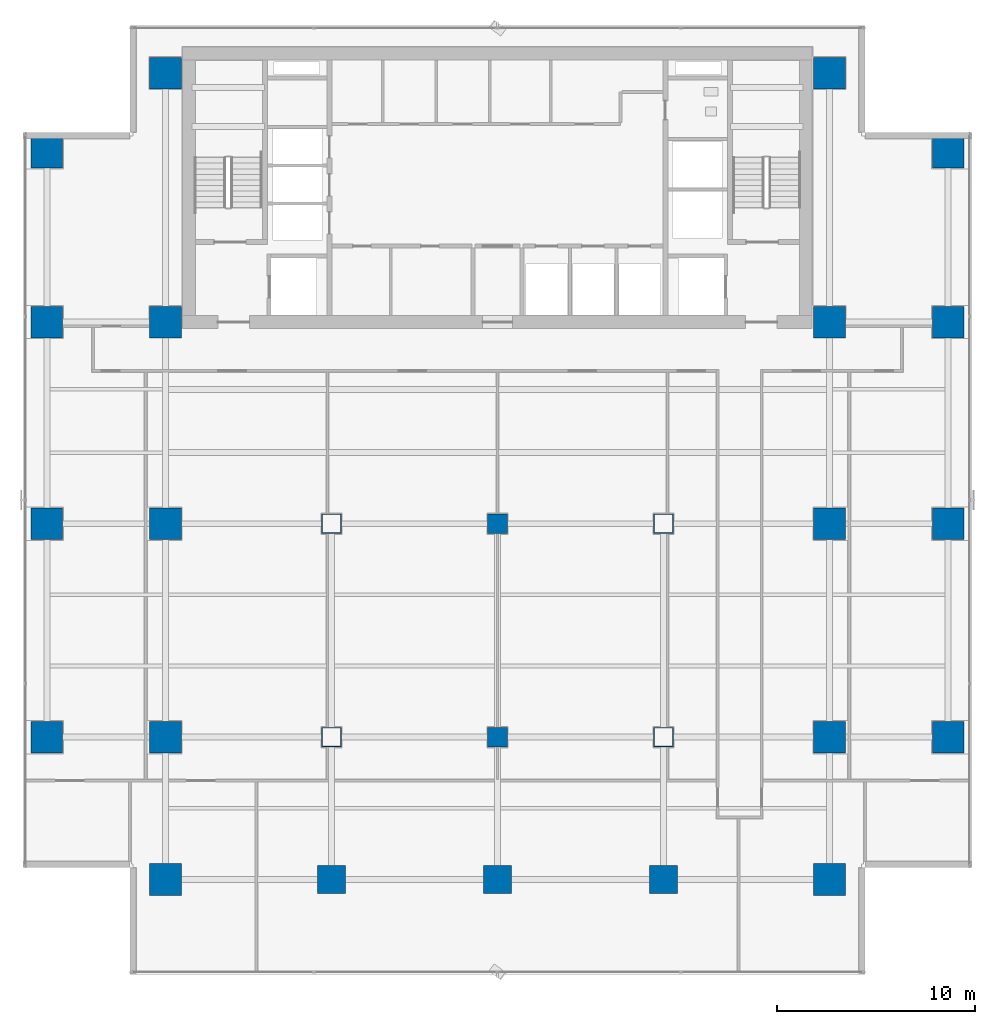
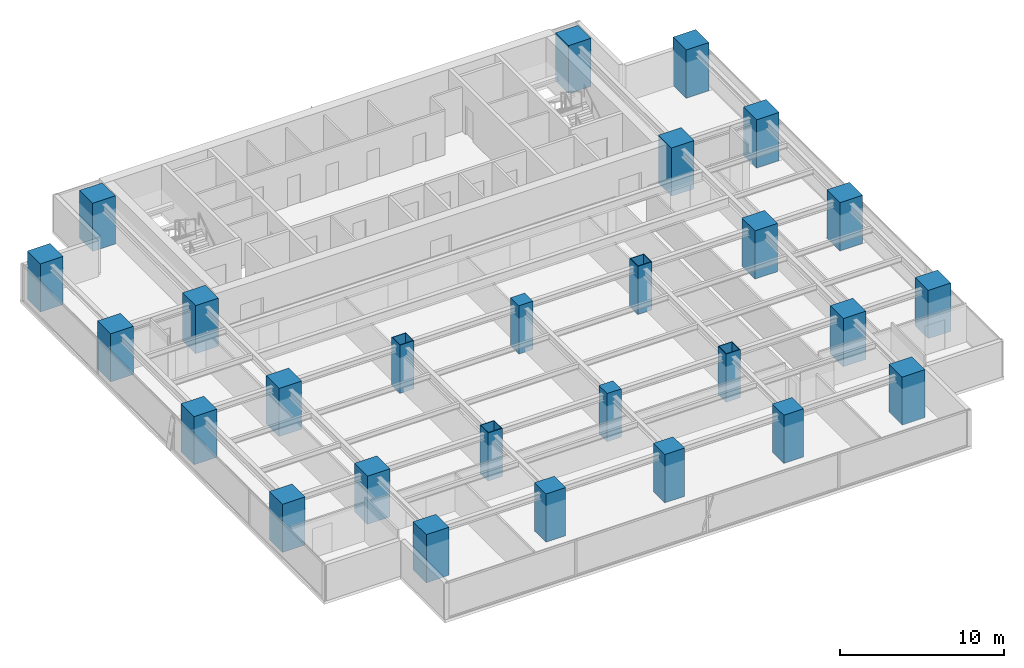
# One storey, part 1 of 28: 27 columns.
"""IFC4 building model written with IfcOpenShell, lengths in metres."""

from ifc_helpers import new_model, si_unit, direction, frame, origin, origin_2d, place, context, subcontext, project, spatial, rectangle, hollow_rectangle, extrude, source, transform, mapped, material, material_profile, profile_set, type_object, element, save


model = new_model("IFC4")

# Units and contexts
model_context = context("Model", 3, precision=1e-05, world=origin(), true_north=direction((0.0, 1.0)))
body_context = subcontext(model_context, "Body", "Model", "MODEL_VIEW")
ifc_project = project(units=[si_unit("LENGTHUNIT", "METRE"), si_unit("AREAUNIT", "SQUARE_METRE"), si_unit("VOLUMEUNIT", "CUBIC_METRE"), si_unit("PLANEANGLEUNIT", "RADIAN"), si_unit("MASSUNIT", "GRAM", prefix="KILO")], contexts=[model_context])

# Site, building, storey
site_placement = place(None, origin())
site = spatial("IfcSite", under=ifc_project, at=site_placement, CompositionType="ELEMENT")
building_placement = place(site_placement, origin())
building = spatial("IfcBuilding", under=site, at=building_placement, Name="Sumidabori Civic Tower", CompositionType="ELEMENT")
storey_placement = place(building_placement, frame((0.0, 0.0, 185.60009765625)))
storey = spatial("IfcBuildingStorey", under=building, at=storey_placement, Name="L48", CompositionType="ELEMENT", Elevation=185.60009765625)

# Columns
ifc_material_1 = material(Name="Concrete C60/75", Category="concrete")
ifc_material_profile_1 = material_profile(ifc_material_1, rectangle(XDim=1.60009765625, YDim=1.60009765625, at=origin_2d()), Name="RC 1600x1600")
ifc_profile_set_1 = profile_set([ifc_material_profile_1], Name="Concrete C60/75")
column_type_1 = type_object("IfcColumnType", Name="CL-MEGA-1600", PredefinedType="COLUMN", material=ifc_profile_set_1)
shared_shape_1 = source(origin(), body_context, "Body", "SweptSolid", [
    extrude(rectangle(XDim=1.60009765625, YDim=1.60009765625, at=origin_2d()), origin(), (0.0, 0.0, 1.0), 3.599853515625),
])
for number, where, z_axis, x_axis, name in (
    (1, (-16.800048828125, -18.0, 0.0), (0.0, 0.0, 1.0), (1.0, 0.0, 0.0), "Column MC-W16-Y18S L48"),
    (2, (-16.800048828125, -10.800048828125, 0.0), (0.0, 0.0, 1.0), (1.0, 0.0, 0.0), "Column MC-W16-Y11S L48"),
    (3, (-16.800048828125, 0.0, 0.0), (0.0, 0.0, 1.0), (1.0, 0.0, 0.0), "Column MC-W16-Y00 L48"),
    (4, (-16.800048828125, 10.199951171875, 0.0), (0.0, 0.0, 1.0), (1.0, 0.0, 0.0), "Column MC-W16-Y10N L48"),
    (5, (-16.800048828125, 22.800048828125, 0.0), (0.0, 0.0, 1.0), (1.0, 0.0, 0.0), "Column MC-W16-Y23N L48"),
    (6, (16.800048828125, -18.0, 0.0), (0.0, 0.0, 1.0), (1.0, 0.0, 0.0), "Column MC-E16-Y18S L48"),
    (7, (16.800048828125, -10.800048828125, 0.0), (0.0, 0.0, 1.0), (1.0, 0.0, 0.0), "Column MC-E16-Y11S L48"),
    (8, (16.800048828125, 0.0, 0.0), (0.0, 0.0, 1.0), (1.0, 0.0, 0.0), "Column MC-E16-Y00 L48"),
    (9, (16.800048828125, 10.199951171875, 0.0), (0.0, 0.0, 1.0), (1.0, 0.0, 0.0), "Column MC-E16-Y10N L48"),
    (10, (16.800048828125, 22.800048828125, 0.0), (0.0, 0.0, 1.0), (1.0, 0.0, 0.0), "Column MC-E16-Y23N L48"),
    (11, (-22.800048828125, -10.800048828125, 0.0), (0.0, 0.0, 1.0), (1.0, 0.0, 0.0), "Column MC-W23-Y11S L48"),
    (12, (-22.800048828125, 0.0, 0.0), (0.0, 0.0, 1.0), (1.0, 0.0, 0.0), "Column MC-W23-Y00 L48"),
    (13, (-22.800048828125, 10.199951171875, 0.0), (0.0, 0.0, 1.0), (1.0, 0.0, 0.0), "Column MC-W23-Y10N L48"),
    (14, (-22.800048828125, 18.800048828125, 0.0), (0.0, 0.0, 1.0), (1.0, 0.0, 0.0), "Column MC-W23-Y19N L48"),
    (15, (22.800048828125, -10.800048828125, 0.0), (0.0, 0.0, 1.0), (1.0, 0.0, 0.0), "Column MC-E23-Y11S L48"),
    (16, (22.800048828125, 0.0, 0.0), (0.0, 0.0, 1.0), (1.0, 0.0, 0.0), "Column MC-E23-Y00 L48"),
    (17, (22.800048828125, 10.199951171875, 0.0), (0.0, 0.0, 1.0), (1.0, 0.0, 0.0), "Column MC-E23-Y10N L48"),
    (18, (22.800048828125, 18.800048828125, 0.0), (0.0, 0.0, 1.0), (1.0, 0.0, 0.0), "Column MC-E23-Y19N L48"),
):
    element("IfcColumn", number, at=place(storey_placement, frame(where, z_axis=z_axis, x_axis=x_axis)), inside=storey, type_object=column_type_1, Name=name, PredefinedType="COLUMN", context=body_context, shape_type="MappedRepresentation", body=[
        mapped(shared_shape_1, transform((0.0, 0.0, 0.0), x_axis=(1.0, 0.0, 0.0), y_axis=(0.0, 1.0, 0.0), z_axis=(0.0, 0.0, 1.0), scale=1.0)),
    ])
ifc_material_2 = material(Name="Steel SM570", Category="steel")
ifc_material_profile_2 = material_profile(ifc_material_2, hollow_rectangle(XDim=1.0, YDim=1.0, WallThickness=0.044921875, at=origin_2d()), Name="SHS 1000x1000x45")
ifc_profile_set_2 = profile_set([ifc_material_profile_2], Name="Steel SM570")
column_type_2 = type_object("IfcColumnType", Name="CL-PORTAL-SHS1000", PredefinedType="COLUMN", material=ifc_profile_set_2)
shared_shape_2 = source(origin(), body_context, "Body", "SweptSolid", [
    extrude(hollow_rectangle(XDim=1.0, YDim=1.0, WallThickness=0.044921875, at=origin_2d()), origin(), (0.0, 0.0, 1.0), 3.599853515625),
])
for number, where, z_axis, x_axis, name in (
    (19, (-8.39990234375, 0.0, 0.0), (0.0, 0.0, 1.0), (1.0, 0.0, 0.0), "Column MC-W08-Y00 L48"),
    (20, (-8.39990234375, -10.800048828125, 0.0), (0.0, 0.0, 1.0), (1.0, 0.0, 0.0), "Column MC-W08-Y11S L48"),
    (21, (8.39990234375, 0.0, 0.0), (0.0, 0.0, 1.0), (1.0, 0.0, 0.0), "Column MC-E08-Y00 L48"),
    (22, (8.39990234375, -10.800048828125, 0.0), (0.0, 0.0, 1.0), (1.0, 0.0, 0.0), "Column MC-E08-Y11S L48"),
):
    element("IfcColumn", number, at=place(storey_placement, frame(where, z_axis=z_axis, x_axis=x_axis)), inside=storey, type_object=column_type_2, Name=name, PredefinedType="COLUMN", context=body_context, shape_type="MappedRepresentation", body=[
        mapped(shared_shape_2, transform((0.0, 0.0, 0.0), x_axis=(1.0, 0.0, 0.0), y_axis=(0.0, 1.0, 0.0), z_axis=(0.0, 0.0, 1.0), scale=1.0)),
    ])
ifc_material_profile_3 = material_profile(ifc_material_1, rectangle(XDim=1.39990234375, YDim=1.39990234375, at=origin_2d()), Name="RC 1400x1400")
ifc_profile_set_3 = profile_set([ifc_material_profile_3], Name="Concrete C60/75")
column_type_3 = type_object("IfcColumnType", Name="CL-MEGA-1400", PredefinedType="COLUMN", material=ifc_profile_set_3)
shared_shape_3 = source(origin(), body_context, "Body", "SweptSolid", [
    extrude(rectangle(XDim=1.39990234375, YDim=1.39990234375, at=origin_2d()), origin(), (0.0, 0.0, 1.0), 3.599853515625),
])
for number, where, z_axis, x_axis, name in (
    (23, (-8.39990234375, -18.0, 0.0), (0.0, 0.0, 1.0), (1.0, 0.0, 0.0), "Column MC-W08-Y18S L48"),
    (24, (8.39990234375, -18.0, 0.0), (0.0, 0.0, 1.0), (1.0, 0.0, 0.0), "Column MC-E08-Y18S L48"),
    (25, (0.0, -18.0, 0.0), (0.0, 0.0, 1.0), (1.0, 0.0, 0.0), "Column MC-C00-Y18S L48"),
):
    element("IfcColumn", number, at=place(storey_placement, frame(where, z_axis=z_axis, x_axis=x_axis)), inside=storey, type_object=column_type_3, Name=name, PredefinedType="COLUMN", context=body_context, shape_type="MappedRepresentation", body=[
        mapped(shared_shape_3, transform((0.0, 0.0, 0.0), x_axis=(1.0, 0.0, 0.0), y_axis=(0.0, 1.0, 0.0), z_axis=(0.0, 0.0, 1.0), scale=1.0)),
    ])
ifc_material_3 = material(Name="Concrete C50/60", Category="concrete")
ifc_material_profile_4 = material_profile(ifc_material_3, rectangle(XDim=1.0, YDim=1.0, at=origin_2d()), Name="RC 1000x1000")
ifc_profile_set_4 = profile_set([ifc_material_profile_4], Name="Concrete C50/60")
column_type_4 = type_object("IfcColumnType", Name="CL-INT-1000", PredefinedType="COLUMN", material=ifc_profile_set_4)
shared_shape_4 = source(origin(), body_context, "Body", "SweptSolid", [
    extrude(rectangle(XDim=1.0, YDim=1.0, at=origin_2d()), origin(), (0.0, 0.0, 1.0), 3.599853515625),
])
for number, where, z_axis, x_axis, name in (
    (26, (0.0, -10.800048828125, 0.0), (0.0, 0.0, 1.0), (1.0, 0.0, 0.0), "Column MC-C00-Y11S L48"),
    (27, (0.0, 0.0, 0.0), (0.0, 0.0, 1.0), (1.0, 0.0, 0.0), "Column MC-C00-Y00 L48"),
):
    element("IfcColumn", number, at=place(storey_placement, frame(where, z_axis=z_axis, x_axis=x_axis)), inside=storey, type_object=column_type_4, Name=name, PredefinedType="COLUMN", context=body_context, shape_type="MappedRepresentation", body=[
        mapped(shared_shape_4, transform((0.0, 0.0, 0.0), x_axis=(1.0, 0.0, 0.0), y_axis=(0.0, 1.0, 0.0), z_axis=(0.0, 0.0, 1.0), scale=1.0)),
    ])

save(model, "model.ifc")
